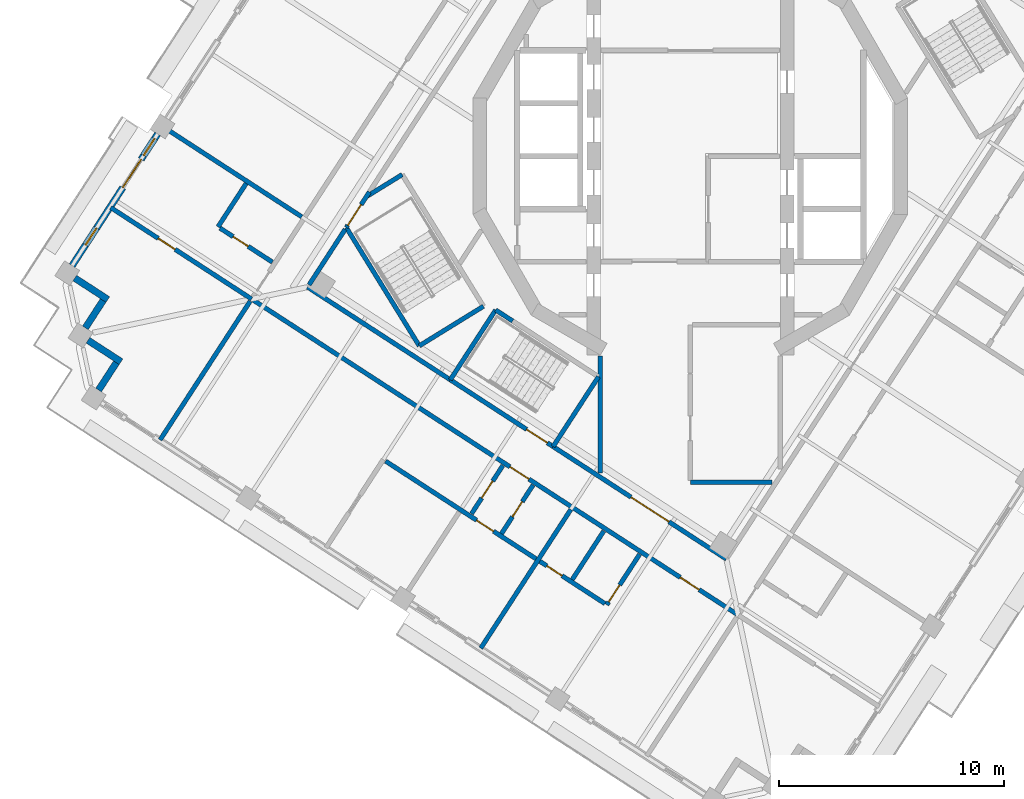
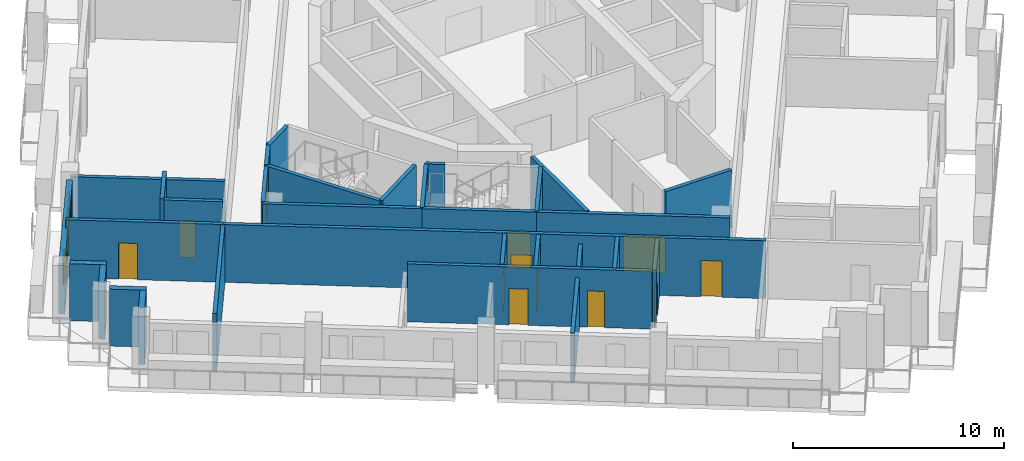
# One storey, part 6 of 17: 30 walls, 13 doors, 2 windows, 15 openings.
"""IFC4 building model written with IfcOpenShell, lengths in metres."""

import ifcopenshell
import ifcopenshell.guid

model = None  # the IFC model being written
_history = None  # IfcOwnerHistory: only IFC2X3 demands one
_inside = {}  # id of a spatial element -> (the spatial element, [elements in it])
_under = {}  # id of a project, library or spatial element -> (it, [spatial elements below it])
_declared = {}  # id of a project -> (the project, [libraries it declares])
_typed = {}  # id of a type object -> (the type object, [elements of that type])
_made_of = {}  # id of a material, layer set ... -> (it, [elements and type objects made of it])


def new_model(schema):
    """Start an empty IFC model of exactly this schema.

    Asked for "IFC4X3", IfcOpenShell would pick the latest addendum, in which some entities
    have other attributes; the version numbers below select the first issue.
    IFC2X3 requires an IfcOwnerHistory on every rooted entity: one is made here for all.
    """
    global model, _history
    if schema == "IFC4X3":
        model = ifcopenshell.file(schema_version=(4, 3, 0, 0))
    else:
        model = ifcopenshell.file(schema=schema)
    _inside.clear()
    _under.clear()
    _declared.clear()
    _typed.clear()
    _made_of.clear()
    _history = None
    if model.schema == "IFC2X3":
        org = make("IfcOrganization", Name="unknown")
        user = make(
            "IfcPersonAndOrganization",
            ThePerson=make("IfcPerson", FamilyName="unknown"),
            TheOrganization=org,
        )
        app = make(
            "IfcApplication",
            ApplicationDeveloper=org,
            Version="unknown",
            ApplicationFullName="unknown",
            ApplicationIdentifier="unknown",
        )
        _history = make(
            "IfcOwnerHistory",
            OwningUser=user,
            OwningApplication=app,
            ChangeAction="ADDED",
            CreationDate=0,
        )
    return model


def make(cls, **values):
    """One entity of the class cls with the attributes given. An attribute that is None is left unset."""
    return model.create_entity(
        cls, **{name: value for name, value in values.items() if value is not None}
    )


def rooted(cls, **values):
    """An entity with a GlobalId (a new one), such as an element, a storey or a relation."""
    return make(cls, GlobalId=ifcopenshell.guid.new(), OwnerHistory=_history, **values)


def si_unit(unit_type, name, prefix=None):
    """IfcSIUnit, for example si_unit("LENGTHUNIT", "METRE", prefix="MILLI")."""
    return make("IfcSIUnit", UnitType=unit_type, Prefix=prefix, Name=name)


def assignment(units):
    """IfcUnitAssignment: the units of a project."""
    return None if units is None else make("IfcUnitAssignment", Units=units)


def point(xyz):
    """IfcCartesianPoint."""
    return None if xyz is None else make("IfcCartesianPoint", Coordinates=xyz)


def direction(xyz):
    """IfcDirection."""
    return None if xyz is None else make("IfcDirection", DirectionRatios=xyz)


def frame(location, z_axis=None, x_axis=None):
    """IfcAxis2Placement3D, a coordinate frame: its origin and axes. An axis left out is left unset."""
    return make(
        "IfcAxis2Placement3D",
        Location=point(location),
        Axis=direction(z_axis),
        RefDirection=direction(x_axis),
    )


def frame_2d(location, x_axis=None):
    """IfcAxis2Placement2D, a coordinate frame in the plane: its origin and x axis."""
    return make(
        "IfcAxis2Placement2D", Location=point(location), RefDirection=direction(x_axis)
    )


def origin():
    """The frame at (0, 0, 0) with its axes left unset."""
    return frame((0.0, 0.0, 0.0))


def place(relative_to, where):
    """IfcLocalPlacement: puts the frame where relative to a parent placement (None: the world)."""
    return make(
        "IfcLocalPlacement", PlacementRelTo=relative_to, RelativePlacement=where
    )


def context(
    kind, dimensions, precision=None, world=None, true_north=None, identifier=None
):
    """IfcGeometricRepresentationContext, for example the 3D "Model" context."""
    return make(
        "IfcGeometricRepresentationContext",
        ContextIdentifier=identifier,
        ContextType=kind,
        CoordinateSpaceDimension=dimensions,
        Precision=precision,
        WorldCoordinateSystem=world,
        TrueNorth=true_north,
    )


def subcontext(parent, identifier, kind, view, scale=None):
    """IfcGeometricRepresentationSubContext, for example "Body" below "Model"."""
    return make(
        "IfcGeometricRepresentationSubContext",
        ContextIdentifier=identifier,
        ContextType=kind,
        ParentContext=parent,
        TargetScale=scale,
        TargetView=view,
    )


def project(units=None, contexts=None):
    """IfcProject with its units and contexts."""
    return rooted(
        "IfcProject",
        Name="project",
        RepresentationContexts=contexts,
        UnitsInContext=assignment(units),
    )


def spatial(cls, under=None, at=None, **own):
    """A site, building, storey or space (cls), placed at a placement, below another one or the project."""
    s = rooted(cls, ObjectPlacement=at, **own)
    if under is not None:
        _under.setdefault(under.id(), (under, []))[1].append(s)
    return s


def profile(cls, at=None, kind="AREA", **sizes):
    """A parametric profile (cls). Its sizes go by their IFC names, for example OverallWidth=200.0."""
    return make(cls, ProfileType=kind, Position=at, **sizes)


def rectangle(**sizes):
    """IfcRectangleProfileDef."""
    return profile("IfcRectangleProfileDef", **sizes)


def extrude(swept, where, along, depth):
    """IfcExtrudedAreaSolid: the profile swept, set in the frame where, extruded along a direction by depth."""
    return make(
        "IfcExtrudedAreaSolid",
        SweptArea=swept,
        Position=where,
        ExtrudedDirection=direction(along),
        Depth=depth,
    )


def shape(context_of_items, identifier, shape_type, items):
    """IfcShapeRepresentation: the items that make up one representation, for example the "Body"."""
    return make(
        "IfcShapeRepresentation",
        ContextOfItems=context_of_items,
        RepresentationIdentifier=identifier,
        RepresentationType=shape_type,
        Items=items,
    )


def material(Name=None, Category=None):
    """IfcMaterial."""
    return make("IfcMaterial", Name=Name, Category=Category)


def layer(
    of_material, thickness, ventilated=None, Name=None, Category=None, Priority=None
):
    """IfcMaterialLayer: one layer of a wall or slab, of a material (None: an air gap)."""
    return make(
        "IfcMaterialLayer",
        Material=of_material,
        LayerThickness=thickness,
        IsVentilated=ventilated,
        Name=Name,
        Category=Category,
        Priority=Priority,
    )


def layer_set(layers, Name=None):
    """IfcMaterialLayerSet."""
    return make("IfcMaterialLayerSet", MaterialLayers=layers, LayerSetName=Name)


def made_of(thing, what):
    """Note that an element or type object is made of a material, layer set ...; save() writes the relation."""
    if what is not None:
        _made_of.setdefault(what.id(), (what, []))[1].append(thing)
    return thing


def type_object(cls, material=None, **own):
    """A type object (cls), such as IfcWallType, which elements share."""
    return made_of(rooted(cls, **own), material)


def element(
    cls,
    number,
    at=None,
    inside=None,
    cuts=None,
    type_object=None,
    material=None,
    context=None,
    identifier="Body",
    shape_type=None,
    held_by="IfcProductDefinitionShape",
    body=None,
    shapes=None,
    **own,
):
    """One element of the class cls, such as IfcWall. Its Tag is "e" and its number.

    at: its placement. inside: the storey or other place that contains it. cuts: it is an
    opening in that element (IfcRelVoidsElement). A single representation is given by context,
    identifier, shape_type and body (its items); several are given by shapes. held_by: the class
    of the entity that holds the representations. save() writes the other relations.
    """
    e = rooted(cls, Tag="e%d" % number, ObjectPlacement=at, **own)
    if body is not None:
        shapes = [shape(context, identifier, shape_type, body)]
    if shapes is not None:
        e.Representation = make(held_by, Representations=shapes)
    if inside is not None:
        _inside.setdefault(inside.id(), (inside, []))[1].append(e)
    if cuts is not None:
        rooted(
            "IfcRelVoidsElement", RelatingBuildingElement=cuts, RelatedOpeningElement=e
        )
    if type_object is not None:
        _typed.setdefault(type_object.id(), (type_object, []))[1].append(e)
    return made_of(e, material)


def fill(opening, filler):
    """IfcRelFillsElement: the door or window that sits in an opening."""
    return rooted(
        "IfcRelFillsElement",
        RelatingOpeningElement=opening,
        RelatedBuildingElement=filler,
    )


def aggregate(whole, parts):
    """IfcRelAggregates: a whole, such as a stair, and the parts it consists of."""
    return rooted("IfcRelAggregates", RelatingObject=whole, RelatedObjects=parts)


def save(model, path):
    """Write the relations noted so far, then the file.

    IfcRelAggregates (storeys below a building ...), IfcRelContainedInSpatialStructure (elements
    in a storey), IfcRelDefinesByType, IfcRelAssociatesMaterial and IfcRelDeclares: one each for
    every whole, place, type object, material and project.
    """
    for whole, parts in _under.values():
        aggregate(whole, parts)
    for where, things in _inside.values():
        rooted(
            "IfcRelContainedInSpatialStructure",
            RelatedElements=things,
            RelatingStructure=where,
        )
    for kind, things in _typed.values():
        rooted("IfcRelDefinesByType", RelatedObjects=things, RelatingType=kind)
    for what, things in _made_of.values():
        rooted("IfcRelAssociatesMaterial", RelatedObjects=things, RelatingMaterial=what)
    for by, libraries in _declared.values():
        rooted("IfcRelDeclares", RelatingContext=by, RelatedDefinitions=libraries)
    model.write(path)


model = new_model("IFC4")

# Units and contexts
model_context = context("Model", 3, precision=1e-05, world=origin(), true_north=direction((0.0, 1.0)))
body_context = subcontext(model_context, "Body", "Model", "MODEL_VIEW")
ifc_project = project(units=[si_unit("LENGTHUNIT", "METRE"), si_unit("AREAUNIT", "SQUARE_METRE"), si_unit("VOLUMEUNIT", "CUBIC_METRE"), si_unit("PLANEANGLEUNIT", "RADIAN"), si_unit("MASSUNIT", "GRAM", prefix="KILO")], contexts=[model_context])

# Site, building, storey
site_placement = place(None, origin())
site = spatial("IfcSite", under=ifc_project, at=site_placement, CompositionType="ELEMENT")
building_placement = place(site_placement, origin())
building = spatial("IfcBuilding", under=site, at=building_placement, Name="Cantera Rosa Tower", CompositionType="ELEMENT")
storey_placement = place(building_placement, frame((0.0, 0.0, 275.699951171875)))
storey = spatial("IfcBuildingStorey", under=building, at=storey_placement, Name="L62", CompositionType="ELEMENT", Elevation=275.699951171875)

# Wall, openings, doors
ifc_material_1 = material(Name="Gypsum board partition")
ifc_layer_1 = layer(ifc_material_1, 0.199951171875)
ifc_layer_set_1 = layer_set([ifc_layer_1], Name="CORRIDOR WALL 200 H3350")
wall_type_1 = type_object("IfcWallType", Name="CORRIDOR WALL 200 H3350", PredefinedType="PARTITIONING", material=ifc_layer_set_1)
wall_1_placement = place(storey_placement, frame((-19.489013671875, -6.36181640625, 0.0), z_axis=(0.0, 0.0, 1.0), x_axis=(0.838670079337, -0.544639787405, 0.0)))
wall_1 = element("IfcWall", 1, at=wall_1_placement, inside=storey, type_object=wall_type_1, Name="CORRIDOR WALL L62-004", PredefinedType="PARTITIONING", context=body_context, shape_type="SweptSolid", body=[
    extrude(rectangle(XDim=25.780029296875, YDim=0.199951171875, at=frame_2d((12.89013671875, 0.0))), origin(), (0.0, 0.0, 1.0), 3.35009765625),
])
opening_1_placement = place(wall_1_placement, frame((13.679931640625, 0.0, 0.0)))
opening_1 = element("IfcOpeningElement", 2, at=opening_1_placement, cuts=wall_1, Name="Opening L62-032", PredefinedType="OPENING", context=body_context, shape_type="SweptSolid", body=[
    extrude(rectangle(XDim=1.0, YDim=2.10009765625, at=frame_2d((0.5, 1.050048828125))), frame((0.0, 0.10986328125, 0.0), z_axis=(0.0, -1.0, 0.0), x_axis=(1.0, 0.0, 0.0)), (0.0, 0.0, 1.0), 0.219970703125),
])
opening_2_placement = place(wall_1_placement, frame((22.705078125, 0.0, 0.0)))
opening_2 = element("IfcOpeningElement", 3, at=opening_2_placement, cuts=wall_1, Name="Opening L62-037", PredefinedType="OPENING", context=body_context, shape_type="SweptSolid", body=[
    extrude(rectangle(XDim=1.0, YDim=2.10009765625, at=frame_2d((0.5, 1.050048828125))), frame((0.0, 0.10986328125, 0.0), z_axis=(0.0, -1.0, 0.0), x_axis=(1.0, 0.0, 0.0)), (0.0, 0.0, 1.0), 0.219970703125),
])
ifc_material_2 = material(Name="Timber door leaf", Category="wood")
door_type_1 = type_object("IfcDoorType", Name="ENTRANCE DOOR 1000x2100", OperationType="NOTDEFINED", PredefinedType="DOOR", material=ifc_material_2)
door_1_placement = place(opening_1_placement, origin())
door_1 = element("IfcDoor", 4, at=door_1_placement, inside=storey, type_object=door_type_1, Name="DOOR L62-032", OperationType="NOTDEFINED", OverallHeight=2.10009765625, OverallWidth=1.0, PredefinedType="DOOR", context=body_context, shape_type="SweptSolid", body=[
    extrude(rectangle(XDim=1.0, YDim=2.10009765625, at=frame_2d((0.5, 1.050048828125))), frame((0.0, 0.02490234375, 0.0), z_axis=(0.0, -1.0, 0.0), x_axis=(1.0, 0.0, 0.0)), (0.0, 0.0, 1.0), 0.050048828125),
])
fill(opening_1, door_1)
door_2_placement = place(opening_2_placement, origin())
door_2 = element("IfcDoor", 5, at=door_2_placement, inside=storey, type_object=door_type_1, Name="DOOR L62-037", OperationType="NOTDEFINED", OverallHeight=2.10009765625, OverallWidth=1.0, PredefinedType="DOOR", context=body_context, shape_type="SweptSolid", body=[
    extrude(rectangle(XDim=1.0, YDim=2.10009765625, at=frame_2d((0.5, 1.050048828125))), frame((0.0, 0.02490234375, 0.0), z_axis=(0.0, -1.0, 0.0), x_axis=(1.0, 0.0, 0.0)), (0.0, 0.0, 1.0), 0.050048828125),
])
fill(opening_2, door_2)

# Walls
wall_2_placement = place(storey_placement, frame((-17.015869140625, -5.82177734375, 0.0), z_axis=(0.0, 0.0, 1.0), x_axis=(0.838672854678, -0.544635513739, 0.0)))
element("IfcWall", 6, at=wall_2_placement, inside=storey, type_object=wall_type_1, Name="CORRIDOR WALL L62-007", PredefinedType="PARTITIONING", context=body_context, shape_type="SweptSolid", body=[
    extrude(rectangle(XDim=7.56494140625, YDim=0.199951171875, at=frame_2d((3.782470703125, 0.0))), origin(), (0.0, 0.0, 1.0), 3.35009765625),
])
wall_3_placement = place(storey_placement, frame((-15.349853515625, -3.256103515625, 0.0), z_axis=(0.0, 0.0, 1.0), x_axis=(-0.544576607641, -0.838711105453, 0.0)))
element("IfcWall", 7, at=wall_3_placement, inside=storey, type_object=wall_type_1, Name="CORRIDOR WALL L62-009", PredefinedType="PARTITIONING", context=body_context, shape_type="SweptSolid", body=[
    extrude(rectangle(XDim=2.939208984375, YDim=0.199951171875, at=frame_2d((1.4697265625, 0.0))), origin(), (0.0, 0.0, 1.0), 3.35009765625),
])

# Wall, opening, door
wall_4_placement = place(storey_placement, frame((-6.1005859375, -12.91015625, 0.0), z_axis=(0.0, 0.0, 1.0), x_axis=(0.838671883824, -0.544637008734, 0.0)))
wall_4 = element("IfcWall", 8, at=wall_4_placement, inside=storey, type_object=wall_type_1, Name="CORRIDOR WALL L62-034", PredefinedType="PARTITIONING", context=body_context, shape_type="SweptSolid", body=[
    extrude(rectangle(XDim=9.184814453125, YDim=0.199951171875, at=frame_2d((4.59228515625, 0.0))), origin(), (0.0, 0.0, 1.0), 3.35009765625),
])
opening_3_placement = place(wall_4_placement, frame((4.135009765625, 0.0, 0.0)))
opening_3 = element("IfcOpeningElement", 9, at=opening_3_placement, cuts=wall_4, Name="Opening L62-010", PredefinedType="OPENING", context=body_context, shape_type="SweptSolid", body=[
    extrude(rectangle(XDim=2.0, YDim=2.10009765625, at=frame_2d((1.0, 1.050048828125))), frame((0.0, 0.10986328125, 0.0), z_axis=(0.0, -1.0, 0.0), x_axis=(1.0, 0.0, 0.0)), (0.0, 0.0, 1.0), 0.219970703125),
])
ifc_material_3 = material(Name="Steel S355J2 (EN 10025-2)", Category="steel")
door_type_2 = type_object("IfcDoorType", Name="LOBBY SCREEN DOOR 2000x2100", OperationType="NOTDEFINED", PredefinedType="DOOR", material=ifc_material_3)
door_3_placement = place(opening_3_placement, origin())
door_3 = element("IfcDoor", 10, at=door_3_placement, inside=storey, type_object=door_type_2, Name="DOOR L62-010", OperationType="NOTDEFINED", OverallHeight=2.10009765625, OverallWidth=2.0, PredefinedType="DOOR", context=body_context, shape_type="SweptSolid", body=[
    extrude(rectangle(XDim=2.0, YDim=2.10009765625, at=frame_2d((1.0, 1.050048828125))), frame((0.0, 0.02490234375, 0.0), z_axis=(0.0, -1.0, 0.0), x_axis=(1.0, 0.0, 0.0)), (0.0, 0.0, 1.0), 0.050048828125),
])
fill(opening_3, door_3)

# Walls
wall_5_placement = place(storey_placement, frame((-4.0, -14.09423828125, 0.0), z_axis=(0.0, 0.0, 1.0), x_axis=(0.0, 1.0, 0.0)))
element("IfcWall", 11, at=wall_5_placement, inside=storey, type_object=wall_type_1, Name="CORRIDOR WALL L62-043", PredefinedType="PARTITIONING", context=body_context, shape_type="SweptSolid", body=[
    extrude(rectangle(XDim=5.21533203125, YDim=0.199951171875, at=frame_2d((2.607666015625, 0.0))), origin(), (0.0, 0.0, 1.0), 3.35009765625),
])
wall_6_placement = place(storey_placement, frame((0.0, -14.5, 0.0), z_axis=(0.0, 0.0, 1.0), x_axis=(1.0, 0.0, 0.0)))
element("IfcWall", 12, at=wall_6_placement, inside=storey, type_object=wall_type_1, Name="CORRIDOR WALL L62-054", PredefinedType="PARTITIONING", context=body_context, shape_type="SweptSolid", body=[
    extrude(rectangle(XDim=3.638916015625, YDim=0.199951171875, at=frame_2d((1.8193359375, 0.0))), origin(), (0.0, 0.0, 1.0), 3.35009765625),
])
ifc_material_4 = material(Name="Hollow clay masonry with cantera stone cladding", Category="masonry")
ifc_layer_2 = layer(ifc_material_4, 0.300048828125)
ifc_layer_set_2 = layer_set([ifc_layer_2], Name="EW-LOGGIA 300")
wall_type_2 = type_object("IfcWallType", Name="EW-LOGGIA 300", PredefinedType="SOLIDWALL", material=ifc_layer_set_2)
wall_7_placement = place(storey_placement, frame((-27.36669921875, -5.41943359375, 0.0), z_axis=(0.0, 0.0, 1.0), x_axis=(0.838685761837, -0.54461563776, 0.0)))
element("IfcWall", 13, at=wall_7_placement, inside=storey, type_object=wall_type_2, Name="EN-L62-W12a", PredefinedType="SOLIDWALL", context=body_context, shape_type="SweptSolid", body=[
    extrude(rectangle(XDim=1.75, YDim=0.300048828125, at=frame_2d((0.875, 0.0))), origin(), (0.0, 0.0, 1.0), 3.300048828125),
])
wall_8_placement = place(storey_placement, frame((-26.1064453125, -6.41650390625, 0.0), z_axis=(0.0, 0.0, 1.0), x_axis=(-0.54467465438, -0.838647435384, 0.0)))
element("IfcWall", 14, at=wall_8_placement, inside=storey, type_object=wall_type_2, Name="EN-L62-W12b", PredefinedType="SOLIDWALL", context=body_context, shape_type="SweptSolid", body=[
    extrude(rectangle(XDim=1.449951171875, YDim=0.300048828125, at=frame_2d((0.72509765625, 0.0))), origin(), (0.0, 0.0, 1.0), 3.300048828125),
])
wall_9_placement = place(storey_placement, frame((-26.778564453125, -8.18603515625, 0.0), z_axis=(0.0, 0.0, 1.0), x_axis=(0.838685761837, -0.54461563776, 0.0)))
element("IfcWall", 15, at=wall_9_placement, inside=storey, type_object=wall_type_2, Name="EN-L62-W13a", PredefinedType="SOLIDWALL", context=body_context, shape_type="SweptSolid", body=[
    extrude(rectangle(XDim=1.75, YDim=0.300048828125, at=frame_2d((0.875, 0.0))), origin(), (0.0, 0.0, 1.0), 3.300048828125),
])
wall_10_placement = place(storey_placement, frame((-25.518310546875, -9.18310546875, 0.0), z_axis=(0.0, 0.0, 1.0), x_axis=(-0.54467465438, -0.838647435384, 0.0)))
element("IfcWall", 16, at=wall_10_placement, inside=storey, type_object=wall_type_2, Name="EN-L62-W13b", PredefinedType="SOLIDWALL", context=body_context, shape_type="SweptSolid", body=[
    extrude(rectangle(XDim=1.449951171875, YDim=0.300048828125, at=frame_2d((0.72509765625, 0.0))), origin(), (0.0, 0.0, 1.0), 3.300048828125),
])

# Wall, openings, windows, door
ifc_material_5 = material(Name="Hollow clay masonry with cantera stone cladding", Category="masonry")
ifc_layer_3 = layer(ifc_material_5, 0.300048828125)
ifc_layer_set_3 = layer_set([ifc_layer_3], Name="EW-LOGGIA 300 H2890")
wall_type_3 = type_object("IfcWallType", Name="EW-LOGGIA 300 H2890", PredefinedType="SOLIDWALL", material=ifc_layer_set_3)
wall_11_placement = place(storey_placement, frame((-23.6826171875, 0.98779296875, 0.0), z_axis=(0.0, 0.0, 1.0), x_axis=(-0.544667428764, -0.838652128146, 0.0)))
wall_11 = element("IfcWall", 17, at=wall_11_placement, inside=storey, type_object=wall_type_3, Name="EN-L62-W11", PredefinedType="SOLIDWALL", context=body_context, shape_type="SweptSolid", body=[
    extrude(rectangle(XDim=6.97998046875, YDim=0.300048828125, at=frame_2d((3.489990234375, 0.0))), origin(), (0.0, 0.0, 1.0), 2.89013671875),
])
opening_4_placement = place(wall_11_placement, frame((0.2451171875, 0.0, 0.89990234375)))
opening_4 = element("IfcOpeningElement", 18, at=opening_4_placement, cuts=wall_11, Name="Opening L62-W19", PredefinedType="OPENING", context=body_context, shape_type="SweptSolid", body=[
    extrude(rectangle(XDim=0.89990234375, YDim=1.5, at=frame_2d((0.449951171875, 0.75))), frame((0.0, 0.159912109375, 0.0), z_axis=(0.0, -1.0, 0.0), x_axis=(1.0, 0.0, 0.0)), (0.0, 0.0, 1.0), 0.320068359375),
])
opening_5_placement = place(wall_11_placement, frame((1.344970703125, 0.0, 0.0)))
opening_5 = element("IfcOpeningElement", 19, at=opening_5_placement, cuts=wall_11, Name="Opening L62-TD20", PredefinedType="OPENING", context=body_context, shape_type="SweptSolid", body=[
    extrude(rectangle(XDim=1.5, YDim=2.39990234375, at=frame_2d((0.75, 1.199951171875))), frame((0.0, 0.159912109375, 0.0), z_axis=(0.0, -1.0, 0.0), x_axis=(1.0, 0.0, 0.0)), (0.0, 0.0, 1.0), 0.320068359375),
])
opening_6_placement = place(wall_11_placement, frame((4.985107421875, 0.0, 0.89990234375)))
opening_6 = element("IfcOpeningElement", 20, at=opening_6_placement, cuts=wall_11, Name="Opening L62-W21", PredefinedType="OPENING", context=body_context, shape_type="SweptSolid", body=[
    extrude(rectangle(XDim=0.89990234375, YDim=1.5, at=frame_2d((0.449951171875, 0.75))), frame((0.0, 0.159912109375, 0.0), z_axis=(0.0, -1.0, 0.0), x_axis=(1.0, 0.0, 0.0)), (0.0, 0.0, 1.0), 0.320068359375),
])
ifc_material_6 = material(Name="Aluminium frame with clear glass", Category="aluminium")
window_type = type_object("IfcWindowType", Name="Residential window 900x1500", PartitioningType="SINGLE_PANEL", PredefinedType="WINDOW", material=ifc_material_6)
window_1_placement = place(opening_4_placement, origin())
window_1 = element("IfcWindow", 21, at=window_1_placement, inside=storey, type_object=window_type, Name="WINDOW L62-W19", OverallHeight=1.5, OverallWidth=0.89990234375, PartitioningType="SINGLE_PANEL", PredefinedType="WINDOW", context=body_context, shape_type="SweptSolid", body=[
    extrude(rectangle(XDim=0.89990234375, YDim=1.5, at=frame_2d((0.449951171875, 0.75))), frame((0.0, 0.030029296875, 0.0), z_axis=(0.0, -1.0, 0.0), x_axis=(1.0, 0.0, 0.0)), (0.0, 0.0, 1.0), 0.06005859375),
])
fill(opening_4, window_1)
window_2_placement = place(opening_6_placement, origin())
window_2 = element("IfcWindow", 22, at=window_2_placement, inside=storey, type_object=window_type, Name="WINDOW L62-W21", OverallHeight=1.5, OverallWidth=0.89990234375, PartitioningType="SINGLE_PANEL", PredefinedType="WINDOW", context=body_context, shape_type="SweptSolid", body=[
    extrude(rectangle(XDim=0.89990234375, YDim=1.5, at=frame_2d((0.449951171875, 0.75))), frame((0.0, 0.030029296875, 0.0), z_axis=(0.0, -1.0, 0.0), x_axis=(1.0, 0.0, 0.0)), (0.0, 0.0, 1.0), 0.06005859375),
])
fill(opening_6, window_2)
ifc_material_7 = material(Name="Aluminium frame with clear glass", Category="aluminium")
door_type_3 = type_object("IfcDoorType", Name="TD-R 1500x2400", OperationType="NOTDEFINED", PredefinedType="DOOR", material=ifc_material_7)
door_4_placement = place(opening_5_placement, origin())
door_4 = element("IfcDoor", 23, at=door_4_placement, inside=storey, type_object=door_type_3, Name="LOGGIA DOOR L62-TD20", OperationType="SLIDING_TO_LEFT", OverallHeight=2.39990234375, OverallWidth=1.5, PredefinedType="DOOR", context=body_context, shape_type="SweptSolid", body=[
    extrude(rectangle(XDim=1.5, YDim=2.39990234375, at=frame_2d((0.75, 1.199951171875))), frame((0.0, 0.02490234375, 0.0), z_axis=(0.0, -1.0, 0.0), x_axis=(1.0, 0.0, 0.0)), (0.0, 0.0, 1.0), 0.050048828125),
])
fill(opening_5, door_4)

# Wall, opening, door
ifc_material_8 = material(Name="Gypsum board partition")
ifc_layer_4 = layer(ifc_material_8, 0.199951171875)
ifc_layer_set_4 = layer_set([ifc_layer_4], Name="PARTITION 200 H3350")
wall_type_4 = type_object("IfcWallType", Name="PARTITION 200 H3350", PredefinedType="PARTITIONING", material=ifc_layer_set_4)
wall_12_placement = place(storey_placement, frame((-25.770751953125, -2.282470703125, 0.0), z_axis=(0.0, 0.0, 1.0), x_axis=(0.838662331082, -0.544651718463, 0.0)))
wall_12 = element("IfcWall", 24, at=wall_12_placement, inside=storey, type_object=wall_type_4, Name="PARTITION L62-001", PredefinedType="PARTITIONING", context=body_context, shape_type="SweptSolid", body=[
    extrude(rectangle(XDim=7.47021484375, YDim=0.199951171875, at=frame_2d((3.735107421875, 0.0))), origin(), (0.0, 0.0, 1.0), 3.35009765625),
])
opening_7_placement = place(wall_12_placement, frame((2.52001953125, 0.0, 0.0)))
opening_7 = element("IfcOpeningElement", 25, at=opening_7_placement, cuts=wall_12, Name="Opening L62-031", PredefinedType="OPENING", context=body_context, shape_type="SweptSolid", body=[
    extrude(rectangle(XDim=0.89990234375, YDim=2.10009765625, at=frame_2d((0.449951171875, 1.050048828125))), frame((0.0, 0.10986328125, 0.0), z_axis=(0.0, -1.0, 0.0), x_axis=(1.0, 0.0, 0.0)), (0.0, 0.0, 1.0), 0.219970703125),
])
ifc_material_9 = material(Name="Timber door leaf", Category="wood")
door_type_4 = type_object("IfcDoorType", Name="ROOM DOOR 900x2100", OperationType="NOTDEFINED", PredefinedType="DOOR", material=ifc_material_9)
door_5_placement = place(opening_7_placement, origin())
door_5 = element("IfcDoor", 26, at=door_5_placement, inside=storey, type_object=door_type_4, Name="DOOR L62-031", OperationType="NOTDEFINED", OverallHeight=2.10009765625, OverallWidth=0.89990234375, PredefinedType="DOOR", context=body_context, shape_type="SweptSolid", body=[
    extrude(rectangle(XDim=0.89990234375, YDim=2.10009765625, at=frame_2d((0.449951171875, 1.050048828125))), frame((0.0, 0.02490234375, 0.0), z_axis=(0.0, -1.0, 0.0), x_axis=(1.0, 0.0, 0.0)), (0.0, 0.0, 1.0), 0.050048828125),
])
fill(opening_7, door_5)

# Wall
wall_13_placement = place(storey_placement, frame((-20.997802734375, -3.140380859375, 0.0), z_axis=(0.0, 0.0, 1.0), x_axis=(0.544566653292, 0.838717568745, 0.0)))
element("IfcWall", 27, at=wall_13_placement, inside=storey, type_object=wall_type_4, Name="PARTITION L62-002", PredefinedType="PARTITIONING", context=body_context, shape_type="SweptSolid", body=[
    extrude(rectangle(XDim=2.2998046875, YDim=0.199951171875, at=frame_2d((1.14990234375, 0.0))), origin(), (0.0, 0.0, 1.0), 3.35009765625),
])

# Wall, opening, door
wall_14_placement = place(storey_placement, frame((-18.58251953125, -4.708984375, 0.0), z_axis=(0.0, 0.0, 1.0), x_axis=(-0.838664250698, 0.5446487626, 0.0)))
wall_14 = element("IfcWall", 28, at=wall_14_placement, inside=storey, type_object=wall_type_4, Name="PARTITION L62-005", PredefinedType="PARTITIONING", context=body_context, shape_type="SweptSolid", body=[
    extrude(rectangle(XDim=2.780029296875, YDim=0.199951171875, at=frame_2d((1.39013671875, 0.0))), origin(), (0.0, 0.0, 1.0), 3.35009765625),
])
opening_8_placement = place(wall_14_placement, frame((1.280029296875, 0.0, 0.0)))
opening_8 = element("IfcOpeningElement", 29, at=opening_8_placement, cuts=wall_14, Name="Opening L62-030", PredefinedType="OPENING", context=body_context, shape_type="SweptSolid", body=[
    extrude(rectangle(XDim=0.800048828125, YDim=2.10009765625, at=frame_2d((0.39990234375, 1.050048828125))), frame((0.0, 0.10986328125, 0.0), z_axis=(0.0, -1.0, 0.0), x_axis=(1.0, 0.0, 0.0)), (0.0, 0.0, 1.0), 0.219970703125),
])
ifc_material_10 = material(Name="Timber door leaf", Category="wood")
door_type_5 = type_object("IfcDoorType", Name="BATHROOM DOOR 800x2100", OperationType="NOTDEFINED", PredefinedType="DOOR", material=ifc_material_10)
door_6_placement = place(opening_8_placement, origin())
door_6 = element("IfcDoor", 30, at=door_6_placement, inside=storey, type_object=door_type_5, Name="DOOR L62-030", OperationType="NOTDEFINED", OverallHeight=2.10009765625, OverallWidth=0.800048828125, PredefinedType="DOOR", context=body_context, shape_type="SweptSolid", body=[
    extrude(rectangle(XDim=0.800048828125, YDim=2.10009765625, at=frame_2d((0.39990234375, 1.050048828125))), frame((0.0, 0.02490234375, 0.0), z_axis=(0.0, -1.0, 0.0), x_axis=(1.0, 0.0, 0.0)), (0.0, 0.0, 1.0), 0.050048828125),
])
fill(opening_8, door_6)

# Wall, openings, doors
wall_15_placement = place(storey_placement, frame((-13.5498046875, -13.557373046875, 0.0), z_axis=(0.0, 0.0, 1.0), x_axis=(0.838665608193, -0.544646672288, 0.0)))
wall_15 = element("IfcWall", 31, at=wall_15_placement, inside=storey, type_object=wall_type_4, Name="PARTITION L62-011", PredefinedType="PARTITIONING", context=body_context, shape_type="SweptSolid", body=[
    extrude(rectangle(XDim=11.6298828125, YDim=0.199951171875, at=frame_2d((5.81494140625, 0.0))), origin(), (0.0, 0.0, 1.0), 3.35009765625),
])
opening_9_placement = place(wall_15_placement, frame((4.830078125, 0.0, 0.0)))
opening_9 = element("IfcOpeningElement", 32, at=opening_9_placement, cuts=wall_15, Name="Opening L62-035", PredefinedType="OPENING", context=body_context, shape_type="SweptSolid", body=[
    extrude(rectangle(XDim=0.89990234375, YDim=2.10009765625, at=frame_2d((0.449951171875, 1.050048828125))), frame((0.0, 0.10986328125, 0.0), z_axis=(0.0, -1.0, 0.0), x_axis=(1.0, 0.0, 0.0)), (0.0, 0.0, 1.0), 0.219970703125),
])
opening_10_placement = place(wall_15_placement, frame((8.554931640625, 0.0, 0.0)))
opening_10 = element("IfcOpeningElement", 33, at=opening_10_placement, cuts=wall_15, Name="Opening L62-038", PredefinedType="OPENING", context=body_context, shape_type="SweptSolid", body=[
    extrude(rectangle(XDim=0.800048828125, YDim=2.10009765625, at=frame_2d((0.39990234375, 1.050048828125))), frame((0.0, 0.10986328125, 0.0), z_axis=(0.0, -1.0, 0.0), x_axis=(1.0, 0.0, 0.0)), (0.0, 0.0, 1.0), 0.219970703125),
])
door_7_placement = place(opening_10_placement, origin())
door_7 = element("IfcDoor", 34, at=door_7_placement, inside=storey, type_object=door_type_5, Name="DOOR L62-038", OperationType="NOTDEFINED", OverallHeight=2.10009765625, OverallWidth=0.800048828125, PredefinedType="DOOR", context=body_context, shape_type="SweptSolid", body=[
    extrude(rectangle(XDim=0.800048828125, YDim=2.10009765625, at=frame_2d((0.39990234375, 1.050048828125))), frame((0.0, 0.02490234375, 0.0), z_axis=(0.0, -1.0, 0.0), x_axis=(1.0, 0.0, 0.0)), (0.0, 0.0, 1.0), 0.050048828125),
])
fill(opening_10, door_7)
door_8_placement = place(opening_9_placement, origin())
door_8 = element("IfcDoor", 35, at=door_8_placement, inside=storey, type_object=door_type_4, Name="DOOR L62-035", OperationType="NOTDEFINED", OverallHeight=2.10009765625, OverallWidth=0.89990234375, PredefinedType="DOOR", context=body_context, shape_type="SweptSolid", body=[
    extrude(rectangle(XDim=0.89990234375, YDim=2.10009765625, at=frame_2d((0.449951171875, 1.050048828125))), frame((0.0, 0.02490234375, 0.0), z_axis=(0.0, -1.0, 0.0), x_axis=(1.0, 0.0, 0.0)), (0.0, 0.0, 1.0), 0.050048828125),
])
fill(opening_9, door_8)

# Wall, opening, door
wall_16_placement = place(storey_placement, frame((-9.727294921875, -15.896728515625, 0.0), z_axis=(0.0, 0.0, 1.0), x_axis=(0.544646388536, 0.838665792468, 0.0)))
wall_16 = element("IfcWall", 36, at=wall_16_placement, inside=storey, type_object=wall_type_4, Name="PARTITION L62-018", PredefinedType="PARTITIONING", context=body_context, shape_type="SweptSolid", body=[
    extrude(rectangle(XDim=2.56005859375, YDim=0.199951171875, at=frame_2d((1.280029296875, 0.0))), origin(), (0.0, 0.0, 1.0), 3.35009765625),
])
opening_11_placement = place(wall_16_placement, frame((0.830078125, 0.0, 0.0)))
opening_11 = element("IfcOpeningElement", 37, at=opening_11_placement, cuts=wall_16, Name="Opening L62-034", PredefinedType="OPENING", context=body_context, shape_type="SweptSolid", body=[
    extrude(rectangle(XDim=0.89990234375, YDim=2.10009765625, at=frame_2d((0.449951171875, 1.050048828125))), frame((0.0, 0.10986328125, 0.0), z_axis=(0.0, -1.0, 0.0), x_axis=(1.0, 0.0, 0.0)), (0.0, 0.0, 1.0), 0.219970703125),
])
door_9_placement = place(opening_11_placement, origin())
door_9 = element("IfcDoor", 38, at=door_9_placement, inside=storey, type_object=door_type_4, Name="DOOR L62-034", OperationType="NOTDEFINED", OverallHeight=2.10009765625, OverallWidth=0.89990234375, PredefinedType="DOOR", context=body_context, shape_type="SweptSolid", body=[
    extrude(rectangle(XDim=0.89990234375, YDim=2.10009765625, at=frame_2d((0.449951171875, 1.050048828125))), frame((0.0, 0.02490234375, 0.0), z_axis=(0.0, -1.0, 0.0), x_axis=(1.0, 0.0, 0.0)), (0.0, 0.0, 1.0), 0.050048828125),
])
fill(opening_11, door_9)

wall_17_placement = place(storey_placement, frame((-8.396240234375, -16.784912109375, 0.0), z_axis=(0.0, 0.0, 1.0), x_axis=(0.544592476005, 0.838700801883, 0.0)))
wall_17 = element("IfcWall", 39, at=wall_17_placement, inside=storey, type_object=wall_type_4, Name="PARTITION L62-025", PredefinedType="PARTITIONING", context=body_context, shape_type="SweptSolid", body=[
    extrude(rectangle(XDim=2.580078125, YDim=0.199951171875, at=frame_2d((1.2900390625, 0.0))), origin(), (0.0, 0.0, 1.0), 3.35009765625),
])
opening_12_placement = place(wall_17_placement, frame((0.89990234375, 0.0, 0.0)))
opening_12 = element("IfcOpeningElement", 40, at=opening_12_placement, cuts=wall_17, Name="Opening L62-033", PredefinedType="OPENING", context=body_context, shape_type="SweptSolid", body=[
    extrude(rectangle(XDim=0.800048828125, YDim=2.10009765625, at=frame_2d((0.39990234375, 1.050048828125))), frame((0.0, 0.10986328125, 0.0), z_axis=(0.0, -1.0, 0.0), x_axis=(1.0, 0.0, 0.0)), (0.0, 0.0, 1.0), 0.219970703125),
])
door_10_placement = place(opening_12_placement, origin())
door_10 = element("IfcDoor", 41, at=door_10_placement, inside=storey, type_object=door_type_5, Name="DOOR L62-033", OperationType="NOTDEFINED", OverallHeight=2.10009765625, OverallWidth=0.800048828125, PredefinedType="DOOR", context=body_context, shape_type="SweptSolid", body=[
    extrude(rectangle(XDim=0.800048828125, YDim=2.10009765625, at=frame_2d((0.39990234375, 1.050048828125))), frame((0.0, 0.02490234375, 0.0), z_axis=(0.0, -1.0, 0.0), x_axis=(1.0, 0.0, 0.0)), (0.0, 0.0, 1.0), 0.050048828125),
])
fill(opening_12, door_10)

# Wall
wall_18_placement = place(storey_placement, frame((-3.84619140625, -16.66357421875, 0.0), z_axis=(0.0, 0.0, 1.0), x_axis=(-0.544592476005, -0.838700801883, 0.0)))
element("IfcWall", 42, at=wall_18_placement, inside=storey, type_object=wall_type_4, Name="PARTITION L62-047", PredefinedType="PARTITIONING", context=body_context, shape_type="SweptSolid", body=[
    extrude(rectangle(XDim=2.580078125, YDim=0.199951171875, at=frame_2d((1.2900390625, 0.0))), origin(), (0.0, 0.0, 1.0), 3.35009765625),
])

# Wall, opening, door
wall_19_placement = place(storey_placement, frame((-2.252685546875, -17.698486328125, 0.0), z_axis=(0.0, 0.0, 1.0), x_axis=(-0.544674512884, -0.838647527281, 0.0)))
wall_19 = element("IfcWall", 43, at=wall_19_placement, inside=storey, type_object=wall_type_4, Name="PARTITION L62-048", PredefinedType="PARTITIONING", context=body_context, shape_type="SweptSolid", body=[
    extrude(rectangle(XDim=2.679931640625, YDim=0.199951171875, at=frame_2d((1.33984375, 0.0))), origin(), (0.0, 0.0, 1.0), 3.35009765625),
])
opening_13_placement = place(wall_19_placement, frame((1.6298828125, 0.0, 0.0)))
opening_13 = element("IfcOpeningElement", 44, at=opening_13_placement, cuts=wall_19, Name="Opening L62-039", PredefinedType="OPENING", context=body_context, shape_type="SweptSolid", body=[
    extrude(rectangle(XDim=0.89990234375, YDim=2.10009765625, at=frame_2d((0.449951171875, 1.050048828125))), frame((0.0, 0.10986328125, 0.0), z_axis=(0.0, -1.0, 0.0), x_axis=(1.0, 0.0, 0.0)), (0.0, 0.0, 1.0), 0.219970703125),
])
door_11_placement = place(opening_13_placement, origin())
door_11 = element("IfcDoor", 45, at=door_11_placement, inside=storey, type_object=door_type_4, Name="DOOR L62-039", OperationType="NOTDEFINED", OverallHeight=2.10009765625, OverallWidth=0.89990234375, PredefinedType="DOOR", context=body_context, shape_type="SweptSolid", body=[
    extrude(rectangle(XDim=0.89990234375, YDim=2.10009765625, at=frame_2d((0.449951171875, 1.050048828125))), frame((0.0, 0.02490234375, 0.0), z_axis=(0.0, -1.0, 0.0), x_axis=(1.0, 0.0, 0.0)), (0.0, 0.0, 1.0), 0.050048828125),
])
fill(opening_13, door_11)

# Walls
ifc_material_11 = material(Name="Gypsum board partition")
ifc_layer_5 = layer(ifc_material_11, 0.199951171875)
ifc_layer_set_5 = layer_set([ifc_layer_5], Name="PARTY WALL 200 H2850")
wall_type_5 = type_object("IfcWallType", Name="PARTY WALL 200 H2850", PredefinedType="PARTITIONING", material=ifc_layer_set_5)
wall_20_placement = place(storey_placement, frame((-17.275390625, -2.696044921875, 0.0), z_axis=(0.0, 0.0, 1.0), x_axis=(-0.838684106336, 0.544618187155, 0.0)))
element("IfcWall", 46, at=wall_20_placement, inside=storey, type_object=wall_type_5, Name="PARTY WALL L62-006", PredefinedType="PARTITIONING", context=body_context, shape_type="SweptSolid", body=[
    extrude(rectangle(XDim=7.349853515625, YDim=0.199951171875, at=frame_2d((3.6748046875, 0.0))), origin(), (0.0, 0.0, 1.0), 2.85009765625),
])
wall_21_placement = place(storey_placement, frame((-5.313720703125, -15.71044921875, 0.0), z_axis=(0.0, 0.0, 1.0), x_axis=(-0.544641550729, -0.838668934217, 0.0)))
element("IfcWall", 47, at=wall_21_placement, inside=storey, type_object=wall_type_5, Name="PARTY WALL L62-038", PredefinedType="PARTITIONING", context=body_context, shape_type="SweptSolid", body=[
    extrude(rectangle(XDim=7.35009765625, YDim=0.199951171875, at=frame_2d((3.675048828125, 0.0))), origin(), (0.0, 0.0, 1.0), 2.85009765625),
])
ifc_material_12 = material(Name="Gypsum board partition")
ifc_layer_6 = layer(ifc_material_12, 0.199951171875)
ifc_layer_set_6 = layer_set([ifc_layer_6], Name="PARTY WALL 200 H3350")
wall_type_6 = type_object("IfcWallType", Name="PARTY WALL 200 H3350", PredefinedType="PARTITIONING", material=ifc_layer_set_6)
wall_22_placement = place(storey_placement, frame((-19.5712890625, -6.45166015625, 0.0), z_axis=(0.0, 0.0, 1.0), x_axis=(-0.544633359557, -0.838674253604, 0.0)))
element("IfcWall", 48, at=wall_22_placement, inside=storey, type_object=wall_type_6, Name="PARTY WALL L62-003", PredefinedType="PARTITIONING", context=body_context, shape_type="SweptSolid", body=[
    extrude(rectangle(XDim=7.349853515625, YDim=0.199951171875, at=frame_2d((3.6748046875, 0.0))), origin(), (0.0, 0.0, 1.0), 3.35009765625),
])

# Wall, opening, door
ifc_material_13 = material(Name="Concrete C50/60", Category="concrete")
ifc_layer_7 = layer(ifc_material_13, 0.199951171875)
ifc_layer_set_7 = layer_set([ifc_layer_7], Name="STAIR WALL 200 H3350")
wall_type_7 = type_object("IfcWallType", Name="STAIR WALL 200 H3350", PredefinedType="SOLIDWALL", material=ifc_layer_set_7)
wall_23_placement = place(storey_placement, frame((-14.268310546875, -1.5908203125, 0.0), z_axis=(0.0, 0.0, 1.0), x_axis=(-0.544651565877, -0.838662430176, 0.0)))
wall_23 = element("IfcWall", 49, at=wall_23_placement, inside=storey, type_object=wall_type_7, Name="STAIR WALL L62-010", PredefinedType="SOLIDWALL", context=body_context, shape_type="SweptSolid", body=[
    extrude(rectangle(XDim=1.8857421875, YDim=0.199951171875, at=frame_2d((0.94287109375, 0.0))), origin(), (0.0, 0.0, 1.0), 3.35009765625),
])
opening_14_placement = place(wall_23_placement, frame((0.6689453125, 0.0, 0.0)))
opening_14 = element("IfcOpeningElement", 50, at=opening_14_placement, cuts=wall_23, Name="Opening L62-002", PredefinedType="OPENING", context=body_context, shape_type="SweptSolid", body=[
    extrude(rectangle(XDim=1.10009765625, YDim=2.10009765625, at=frame_2d((0.550048828125, 1.050048828125))), frame((0.0, 0.10986328125, 0.0), z_axis=(0.0, -1.0, 0.0), x_axis=(1.0, 0.0, 0.0)), (0.0, 0.0, 1.0), 0.219970703125),
])
ifc_material_14 = material(Name="Steel S355J2 (EN 10025-2)", Category="steel")
door_type_6 = type_object("IfcDoorType", Name="STAIR DOOR 1100x2100", OperationType="NOTDEFINED", PredefinedType="DOOR", material=ifc_material_14)
door_12_placement = place(opening_14_placement, origin())
door_12 = element("IfcDoor", 51, at=door_12_placement, inside=storey, type_object=door_type_6, Name="DOOR L62-002", OperationType="NOTDEFINED", OverallHeight=2.10009765625, OverallWidth=1.10009765625, PredefinedType="DOOR", context=body_context, shape_type="SweptSolid", body=[
    extrude(rectangle(XDim=1.10009765625, YDim=2.10009765625, at=frame_2d((0.550048828125, 1.050048828125))), frame((0.0, 0.02490234375, 0.0), z_axis=(0.0, -1.0, 0.0), x_axis=(1.0, 0.0, 0.0)), (0.0, 0.0, 1.0), 0.050048828125),
])
fill(opening_14, door_12)

# Walls
wall_24_placement = place(storey_placement, frame((-12.811279296875, -0.818359375, 0.0), z_axis=(0.0, 0.0, 1.0), x_axis=(-0.851125244186, -0.524962683158, 0.0)))
element("IfcWall", 52, at=wall_24_placement, inside=storey, type_object=wall_type_7, Name="STAIR WALL L62-012", PredefinedType="SOLIDWALL", context=body_context, shape_type="SweptSolid", body=[
    extrude(rectangle(XDim=1.872802734375, YDim=0.199951171875, at=frame_2d((0.9365234375, 0.0))), origin(), (0.0, 0.0, 1.0), 3.35009765625),
])
wall_25_placement = place(storey_placement, frame((-12.05078125, -8.4326171875, 0.0), z_axis=(0.0, 0.0, 1.0), x_axis=(-0.524983142341, 0.851112624896, 0.0)))
element("IfcWall", 53, at=wall_25_placement, inside=storey, type_object=wall_type_7, Name="STAIR WALL L62-014", PredefinedType="SOLIDWALL", context=body_context, shape_type="SweptSolid", body=[
    extrude(rectangle(XDim=6.180419921875, YDim=0.199951171875, at=frame_2d((3.09033203125, 0.0))), origin(), (0.0, 0.0, 1.0), 3.35009765625),
])
wall_26_placement = place(storey_placement, frame((-10.67138671875, -9.94189453125, 0.0), z_axis=(0.0, 0.0, 1.0), x_axis=(0.544677727046, 0.838645439778, 0.0)))
element("IfcWall", 54, at=wall_26_placement, inside=storey, type_object=wall_type_7, Name="STAIR WALL L62-016", PredefinedType="SOLIDWALL", context=body_context, shape_type="SweptSolid", body=[
    extrude(rectangle(XDim=3.702392578125, YDim=0.199951171875, at=frame_2d((1.85107421875, 0.0))), origin(), (0.0, 0.0, 1.0), 3.35009765625),
])

# Wall, opening, door
wall_27_placement = place(storey_placement, frame((-10.67138671875, -9.94189453125, 0.0), z_axis=(0.0, 0.0, 1.0), x_axis=(0.838674843592, -0.544632451041, 0.0)))
wall_27 = element("IfcWall", 55, at=wall_27_placement, inside=storey, type_object=wall_type_7, Name="STAIR WALL L62-017", PredefinedType="SOLIDWALL", context=body_context, shape_type="SweptSolid", body=[
    extrude(rectangle(XDim=5.449951171875, YDim=0.199951171875, at=frame_2d((2.72509765625, 0.0))), origin(), (0.0, 0.0, 1.0), 3.35009765625),
])
opening_15_placement = place(wall_27_placement, frame((4.050048828125, 0.0, 0.0)))
opening_15 = element("IfcOpeningElement", 56, at=opening_15_placement, cuts=wall_27, Name="Opening L62-003", PredefinedType="OPENING", context=body_context, shape_type="SweptSolid", body=[
    extrude(rectangle(XDim=1.10009765625, YDim=2.10009765625, at=frame_2d((0.550048828125, 1.050048828125))), frame((0.0, 0.10986328125, 0.0), z_axis=(0.0, -1.0, 0.0), x_axis=(1.0, 0.0, 0.0)), (0.0, 0.0, 1.0), 0.219970703125),
])
door_13_placement = place(opening_15_placement, origin())
door_13 = element("IfcDoor", 57, at=door_13_placement, inside=storey, type_object=door_type_6, Name="DOOR L62-003", OperationType="NOTDEFINED", OverallHeight=2.10009765625, OverallWidth=1.10009765625, PredefinedType="DOOR", context=body_context, shape_type="SweptSolid", body=[
    extrude(rectangle(XDim=1.10009765625, YDim=2.10009765625, at=frame_2d((0.550048828125, 1.050048828125))), frame((0.0, 0.02490234375, 0.0), z_axis=(0.0, -1.0, 0.0), x_axis=(1.0, 0.0, 0.0)), (0.0, 0.0, 1.0), 0.050048828125),
])
fill(opening_15, door_13)

# Walls
wall_28_placement = place(storey_placement, frame((-9.199462890625, -6.674072265625, 0.0), z_axis=(0.0, 0.0, 1.0), x_axis=(-0.85113993661, -0.524938861495, 0.0)))
element("IfcWall", 58, at=wall_28_placement, inside=storey, type_object=wall_type_7, Name="STAIR WALL L62-021", PredefinedType="SOLIDWALL", context=body_context, shape_type="SweptSolid", body=[
    extrude(rectangle(XDim=3.35009765625, YDim=0.199951171875, at=frame_2d((1.675048828125, 0.0))), origin(), (0.0, 0.0, 1.0), 3.35009765625),
])
wall_29_placement = place(storey_placement, frame((-8.65478515625, -6.8369140625, 0.0), z_axis=(0.0, 0.0, 1.0), x_axis=(0.838666637781, -0.54464508689, 0.0)))
element("IfcWall", 59, at=wall_29_placement, inside=storey, type_object=wall_type_7, Name="STAIR WALL L62-024", PredefinedType="SOLIDWALL", context=body_context, shape_type="SweptSolid", body=[
    extrude(rectangle(XDim=0.900146484375, YDim=0.199951171875, at=frame_2d((0.4501953125, 0.0))), origin(), (0.0, 0.0, 1.0), 3.35009765625),
])
wall_30_placement = place(storey_placement, frame((-4.083984375, -9.80517578125, 0.0), z_axis=(0.0, 0.0, 1.0), x_axis=(-0.544677727046, -0.838645439778, 0.0)))
element("IfcWall", 60, at=wall_30_placement, inside=storey, type_object=wall_type_7, Name="STAIR WALL L62-042", PredefinedType="SOLIDWALL", context=body_context, shape_type="SweptSolid", body=[
    extrude(rectangle(XDim=3.702392578125, YDim=0.199951171875, at=frame_2d((1.85107421875, 0.0))), origin(), (0.0, 0.0, 1.0), 3.35009765625),
])

save(model, "model.ifc")
